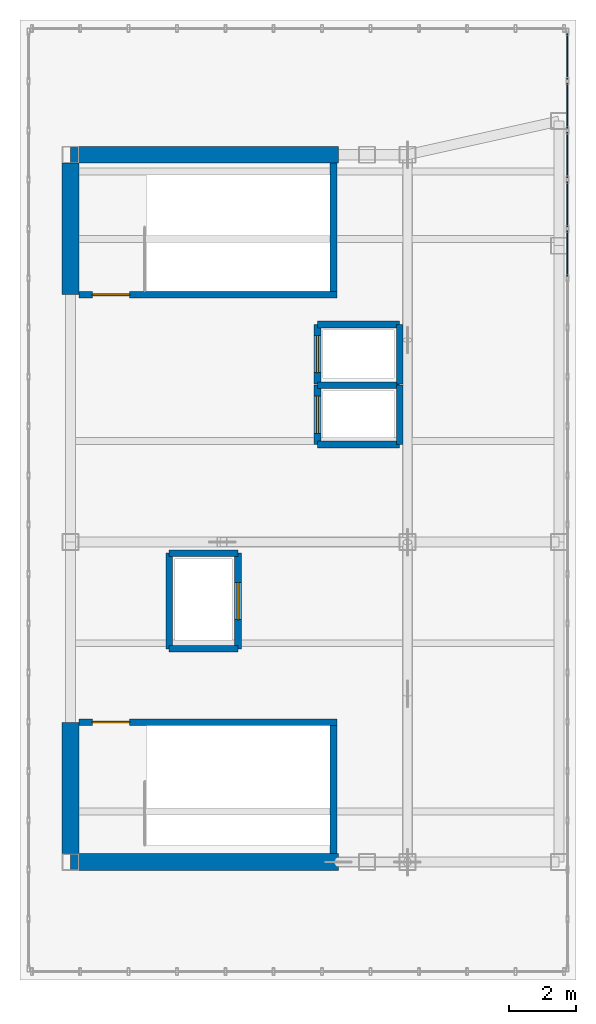
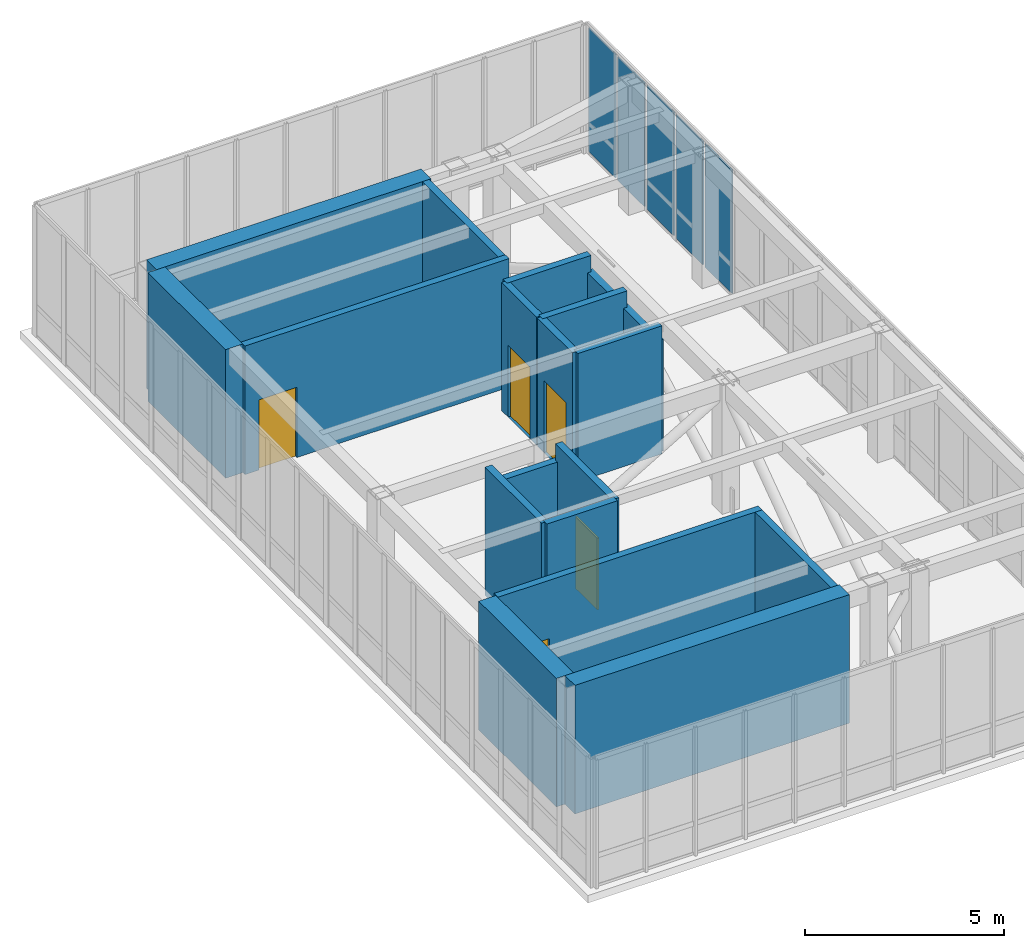
# One storey, part 12 of 13: 19 walls, 5 doors, 5 plates, 5 openings, 1 element without a shape of its own.
"""IFC4 building model written with IfcOpenShell, lengths in metres."""

from ifc_helpers import new_model, si_unit, direction, frame, frame_2d, origin, origin_2d, place, context, subcontext, project, spatial, rectangle, extrude, source, transform, mapped, material, layer, layer_set, type_object, element, fill, aggregate, save


model = new_model("IFC4")

# Units and contexts
model_context = context("Model", 3, precision=1e-05, world=origin(), true_north=direction((0.0, 1.0)))
body_context = subcontext(model_context, "Body", "Model", "MODEL_VIEW")
ifc_project = project(units=[si_unit("LENGTHUNIT", "METRE"), si_unit("AREAUNIT", "SQUARE_METRE"), si_unit("VOLUMEUNIT", "CUBIC_METRE"), si_unit("PLANEANGLEUNIT", "RADIAN"), si_unit("MASSUNIT", "GRAM", prefix="KILO")], contexts=[model_context])

# Site, building, storey
site_placement = place(None, origin())
site = spatial("IfcSite", under=ifc_project, at=site_placement, CompositionType="ELEMENT")
building_placement = place(site_placement, origin())
building = spatial("IfcBuilding", under=site, at=building_placement, Name="Kharzan Plaza Tower", CompositionType="ELEMENT")
storey_placement = place(building_placement, frame((0.0, 0.0, 298.199951171875)))
storey = spatial("IfcBuildingStorey", under=building, at=storey_placement, Name="L80-CROWN", CompositionType="ELEMENT", Elevation=298.199951171875)

# Curtain wall, plates
ifc_material_1 = material(Name="Unitised Bronze-Anodized Aluminium and Low-E Glass", Category="aluminium")
ifc_layer_1 = layer(ifc_material_1, 0.199951171875)
ifc_layer_set_1 = layer_set([ifc_layer_1], Name="Unitised Bronze-Anodized Aluminium and Low-E Glass")
curtain_wall_type = type_object("IfcCurtainWallType", Name="CW-LANTERN-6", PredefinedType="NOTDEFINED", material=ifc_layer_set_1)
curtain_wall_placement = place(storey_placement, origin())
curtain_wall = element("IfcCurtainWall", 1, at=curtain_wall_placement, inside=storey, type_object=curtain_wall_type, Name="L80-CROWN Lantern Crown Illuminated Curtain Wall 2", PredefinedType="NOTDEFINED")
ifc_material_2 = material(Name="Low-Iron Fritted Lantern Crown Glazing", Category="glass")
ifc_layer_2 = layer(ifc_material_2, 0.035888671875)
ifc_layer_set_2 = layer_set([ifc_layer_2], Name="Low-Iron Fritted Lantern Crown Glazing")
plate_type = type_object("IfcPlateType", Name="PLT-CW-LANTERN", PredefinedType="CURTAIN_PANEL", material=ifc_layer_set_2)
shared_shape_1 = source(origin(), body_context, "Body", "SweptSolid", [
    extrude(rectangle(XDim=1.34326171875, YDim=0.035888671875, at=origin_2d()), origin(), (0.0, 0.0, 1.0), 3.780029296875),
])
plate_1_placement = place(storey_placement, frame((19.25, 26.56591796875, 0.080078125), z_axis=(0.0, 0.0, 1.0), x_axis=(0.0, 1.0, 0.0)))
plate_1 = element("IfcPlate", 2, at=plate_1_placement, type_object=plate_type, Name="L80-CROWN Curtain-Wall Glazed Panel 14", PredefinedType="CURTAIN_PANEL", context=body_context, shape_type="MappedRepresentation", body=[
    mapped(shared_shape_1, transform((0.0, 0.0, 0.0), x_axis=(1.0, 0.0, 0.0), y_axis=(0.0, 1.0, 0.0), z_axis=(0.0, 0.0, 1.0))),
])
plate_2_placement = place(storey_placement, frame((19.25, 28.02880859375, 0.080078125), z_axis=(0.0, 0.0, 1.0), x_axis=(0.0, 1.0, 0.0)))
plate_2 = element("IfcPlate", 3, at=plate_2_placement, type_object=plate_type, Name="L80-CROWN Curtain-Wall Glazed Panel 15", PredefinedType="CURTAIN_PANEL", context=body_context, shape_type="MappedRepresentation", body=[
    mapped(shared_shape_1, transform((0.0, 0.0, 0.0), x_axis=(1.0, 0.0, 0.0), y_axis=(0.0, 1.0, 0.0), z_axis=(0.0, 0.0, 1.0))),
])
plate_3_placement = place(storey_placement, frame((19.25, 29.4921875, 0.080078125), z_axis=(0.0, 0.0, 1.0), x_axis=(0.0, 1.0, 0.0)))
plate_3 = element("IfcPlate", 4, at=plate_3_placement, type_object=plate_type, Name="L80-CROWN Curtain-Wall Glazed Panel 16", PredefinedType="CURTAIN_PANEL", context=body_context, shape_type="MappedRepresentation", body=[
    mapped(shared_shape_1, transform((0.0, 0.0, 0.0), x_axis=(1.0, 0.0, 0.0), y_axis=(0.0, 1.0, 0.0), z_axis=(0.0, 0.0, 1.0))),
])
plate_4_placement = place(storey_placement, frame((19.25, 30.955322265625, 0.080078125), z_axis=(0.0, 0.0, 1.0), x_axis=(0.0, 1.0, 0.0)))
plate_4 = element("IfcPlate", 5, at=plate_4_placement, type_object=plate_type, Name="L80-CROWN Curtain-Wall Glazed Panel 17", PredefinedType="CURTAIN_PANEL", context=body_context, shape_type="MappedRepresentation", body=[
    mapped(shared_shape_1, transform((0.0, 0.0, 0.0), x_axis=(1.0, 0.0, 0.0), y_axis=(0.0, 1.0, 0.0), z_axis=(0.0, 0.0, 1.0))),
])
plate_5_placement = place(storey_placement, frame((19.25, 32.41845703125, 0.080078125), z_axis=(0.0, 0.0, 1.0), x_axis=(0.0, 1.0, 0.0)))
plate_5 = element("IfcPlate", 6, at=plate_5_placement, type_object=plate_type, Name="L80-CROWN Curtain-Wall Glazed Panel 18", PredefinedType="CURTAIN_PANEL", context=body_context, shape_type="MappedRepresentation", body=[
    mapped(shared_shape_1, transform((0.0, 0.0, 0.0), x_axis=(1.0, 0.0, 0.0), y_axis=(0.0, 1.0, 0.0), z_axis=(0.0, 0.0, 1.0))),
])
aggregate(curtain_wall, [plate_1, plate_2, plate_3, plate_4, plate_5])

# Wall, opening, door
ifc_material_3 = material(Name="Concrete C40/50", Category="concrete")
ifc_layer_3 = layer(ifc_material_3, 0.199951171875)
ifc_layer_set_3 = layer_set([ifc_layer_3], Name="Concrete C40/50")
wall_type_1 = type_object("IfcWallType", Name="WL-INT-SHAFT-200", PredefinedType="PARTITIONING", material=ifc_layer_set_3)
wall_1_placement = place(storey_placement, frame((11.830078125, 20.89990234375, 0.0), z_axis=(0.0, 0.0, 1.0), x_axis=(0.0, 1.0, 0.0)))
wall_1 = element("IfcWall", 7, at=wall_1_placement, inside=storey, type_object=wall_type_1, Name="L80-CROWN Interior Partition SHF-FFL-1-W", PredefinedType="PARTITIONING", context=body_context, shape_type="SweptSolid", body=[
    extrude(rectangle(XDim=1.760009765625, YDim=0.199951171875, at=frame_2d((0.8798828125, 0.0))), origin(), (0.0, 0.0, 1.0), 3.925048828125),
])
opening_1_placement = place(wall_1_placement, frame((0.330078125, 0.0, 0.0)))
opening_1 = element("IfcOpeningElement", 8, at=opening_1_placement, cuts=wall_1, Name="Opening LD", PredefinedType="OPENING", context=body_context, shape_type="SweptSolid", body=[
    extrude(rectangle(XDim=1.10009765625, YDim=2.199951171875, at=frame_2d((0.550048828125, 1.10009765625))), frame((0.0, 0.10986328125, 0.0), z_axis=(0.0, -1.0, 0.0), x_axis=(1.0, 0.0, 0.0)), (0.0, 0.0, 1.0), 0.219970703125),
])
ifc_material_4 = material(Name="Brushed Stainless Steel", Category="steel")
door_type_1 = type_object("IfcDoorType", Name="DR-LIFT-SLIDE", OperationType="SLIDING_TO_LEFT", PredefinedType="DOOR", material=ifc_material_4)
shared_shape_2 = source(origin(), body_context, "Body", "SweptSolid", [
    extrude(rectangle(XDim=1.10009765625, YDim=2.199951171875, at=frame_2d((0.550048828125, 1.10009765625))), frame((0.0, 0.02490234375, 0.0), z_axis=(0.0, -1.0, 0.0), x_axis=(1.0, 0.0, 0.0)), (0.0, 0.0, 1.0), 0.050048828125),
])
door_1_placement = place(opening_1_placement, origin())
door_1 = element("IfcDoor", 9, at=door_1_placement, inside=storey, type_object=door_type_1, Name="L80-CROWN Firefighting Lift FFL-1 Sliding Landing Door", OperationType="SLIDING_TO_LEFT", OverallHeight=2.199951171875, OverallWidth=1.10009765625, PredefinedType="DOOR", context=body_context, shape_type="MappedRepresentation", body=[
    mapped(shared_shape_2, transform((0.0, 0.0, 0.0), x_axis=(1.0, 0.0, 0.0), y_axis=(0.0, 1.0, 0.0), z_axis=(0.0, 0.0, 1.0))),
])
fill(opening_1, door_1)

wall_2_placement = place(storey_placement, frame((11.830078125, 22.699951171875, 0.0), z_axis=(0.0, 0.0, 1.0), x_axis=(0.0, 1.0, 0.0)))
wall_2 = element("IfcWall", 10, at=wall_2_placement, inside=storey, type_object=wall_type_1, Name="L80-CROWN Interior Partition SHF-FFL-2-W", PredefinedType="PARTITIONING", context=body_context, shape_type="SweptSolid", body=[
    extrude(rectangle(XDim=1.760009765625, YDim=0.199951171875, at=frame_2d((0.8798828125, 0.0))), origin(), (0.0, 0.0, 1.0), 3.925048828125),
])
opening_2_placement = place(wall_2_placement, frame((0.330078125, 0.0, 0.0)))
opening_2 = element("IfcOpeningElement", 11, at=opening_2_placement, cuts=wall_2, Name="Opening LD", PredefinedType="OPENING", context=body_context, shape_type="SweptSolid", body=[
    extrude(rectangle(XDim=1.10009765625, YDim=2.199951171875, at=frame_2d((0.550048828125, 1.10009765625))), frame((0.0, 0.10986328125, 0.0), z_axis=(0.0, -1.0, 0.0), x_axis=(1.0, 0.0, 0.0)), (0.0, 0.0, 1.0), 0.219970703125),
])
door_2_placement = place(opening_2_placement, origin())
door_2 = element("IfcDoor", 12, at=door_2_placement, inside=storey, type_object=door_type_1, Name="L80-CROWN Firefighting Lift FFL-2 Sliding Landing Door", OperationType="SLIDING_TO_LEFT", OverallHeight=2.199951171875, OverallWidth=1.10009765625, PredefinedType="DOOR", context=body_context, shape_type="MappedRepresentation", body=[
    mapped(shared_shape_2, transform((0.0, 0.0, 0.0), x_axis=(1.0, 0.0, 0.0), y_axis=(0.0, 1.0, 0.0), z_axis=(0.0, 0.0, 1.0))),
])
fill(opening_2, door_2)

wall_3_placement = place(storey_placement, frame((9.469970703125, 14.830078125, 0.0), z_axis=(0.0, 0.0, 1.0), x_axis=(0.0, 1.0, 0.0)))
wall_3 = element("IfcWall", 13, at=wall_3_placement, inside=storey, type_object=wall_type_1, Name="L80-CROWN Interior Partition SHF-SVL-1-E", PredefinedType="PARTITIONING", context=body_context, shape_type="SweptSolid", body=[
    extrude(rectangle(XDim=2.83984375, YDim=0.199951171875, at=frame_2d((1.419921875, 0.0))), origin(), (0.0, 0.0, 1.0), 3.925048828125),
])
opening_3_placement = place(wall_3_placement, frame((0.8701171875, 0.0, 0.0)))
opening_3 = element("IfcOpeningElement", 14, at=opening_3_placement, cuts=wall_3, Name="Opening LD", PredefinedType="OPENING", context=body_context, shape_type="SweptSolid", body=[
    extrude(rectangle(XDim=1.10009765625, YDim=2.199951171875, at=frame_2d((0.550048828125, 1.10009765625))), frame((0.0, 0.10986328125, 0.0), z_axis=(0.0, -1.0, 0.0), x_axis=(1.0, 0.0, 0.0)), (0.0, 0.0, 1.0), 0.219970703125),
])
door_3_placement = place(opening_3_placement, origin())
door_3 = element("IfcDoor", 15, at=door_3_placement, inside=storey, type_object=door_type_1, Name="L80-CROWN Service Lift SVL-1 Sliding Landing Door", OperationType="SLIDING_TO_LEFT", OverallHeight=2.199951171875, OverallWidth=1.10009765625, PredefinedType="DOOR", context=body_context, shape_type="MappedRepresentation", body=[
    mapped(shared_shape_2, transform((0.0, 0.0, 0.0), x_axis=(1.0, 0.0, 0.0), y_axis=(0.0, 1.0, 0.0), z_axis=(0.0, 0.0, 1.0))),
])
fill(opening_3, door_3)

ifc_material_5 = material(Name="Concrete C50/60", Category="concrete")
ifc_layer_4 = layer(ifc_material_5, 0.199951171875)
ifc_layer_set_4 = layer_set([ifc_layer_4], Name="Concrete C50/60")
wall_type_2 = type_object("IfcWallType", Name="WL-SHAFT-RC200", PredefinedType="SHEAR", material=ifc_layer_set_4)
wall_4_placement = place(storey_placement, frame((4.751953125, 12.655029296875, 0.0), z_axis=(0.0, 0.0, 1.0), x_axis=(1.0, 0.0, 0.0)))
wall_4 = element("IfcWall", 16, at=wall_4_placement, inside=storey, type_object=wall_type_2, Name="L80-CROWN Stair ST-1 North RC Shaft Wall", PredefinedType="SHEAR", context=body_context, shape_type="SweptSolid", body=[
    extrude(rectangle(XDim=7.653076171875, YDim=0.199951171875, at=frame_2d((3.82666015625, 0.0))), origin(), (0.0, 0.0, 1.0), 3.93994140625),
])
opening_4_placement = place(wall_4_placement, frame((0.39990234375, 0.0, 0.0)))
opening_4 = element("IfcOpeningElement", 17, at=opening_4_placement, cuts=wall_4, Name="Opening SD1", PredefinedType="OPENING", context=body_context, shape_type="SweptSolid", body=[
    extrude(rectangle(XDim=1.10009765625, YDim=2.14990234375, at=frame_2d((0.550048828125, 1.074951171875))), frame((0.0, 0.10986328125, 0.0), z_axis=(0.0, -1.0, 0.0), x_axis=(1.0, 0.0, 0.0)), (0.0, 0.0, 1.0), 0.219970703125),
])
ifc_material_6 = material(Name="Fire-Rated Hollow Galvanized Steel", Category="steel")
door_type_2 = type_object("IfcDoorType", Name="DR-STAIR-FD120", OperationType="NOTDEFINED", PredefinedType="DOOR", material=ifc_material_6)
shared_shape_3 = source(origin(), body_context, "Body", "SweptSolid", [
    extrude(rectangle(XDim=1.10009765625, YDim=2.14990234375, at=frame_2d((0.550048828125, 1.074951171875))), frame((0.0, 0.02490234375, 0.0), z_axis=(0.0, -1.0, 0.0), x_axis=(1.0, 0.0, 0.0)), (0.0, 0.0, 1.0), 0.050048828125),
])
door_4_placement = place(opening_4_placement, origin())
door_4 = element("IfcDoor", 18, at=door_4_placement, inside=storey, type_object=door_type_2, Name="L80-CROWN Stair ST-1 Fire Exit Door", OperationType="SINGLE_SWING_RIGHT", OverallHeight=2.14990234375, OverallWidth=1.10009765625, PredefinedType="DOOR", context=body_context, shape_type="MappedRepresentation", body=[
    mapped(shared_shape_3, transform((0.0, 0.0, 0.0), x_axis=(1.0, 0.0, 0.0), y_axis=(0.0, 1.0, 0.0), z_axis=(0.0, 0.0, 1.0))),
])
fill(opening_4, door_4)

wall_5_placement = place(storey_placement, frame((4.751953125, 25.344970703125, 0.0), z_axis=(0.0, 0.0, 1.0), x_axis=(1.0, 0.0, 0.0)))
wall_5 = element("IfcWall", 19, at=wall_5_placement, inside=storey, type_object=wall_type_2, Name="L80-CROWN Stair ST-2 South RC Shaft Wall", PredefinedType="SHEAR", context=body_context, shape_type="SweptSolid", body=[
    extrude(rectangle(XDim=7.653076171875, YDim=0.199951171875, at=frame_2d((3.82666015625, 0.0))), origin(), (0.0, 0.0, 1.0), 3.93994140625),
])
opening_5_placement = place(wall_5_placement, frame((0.39990234375, 0.0, 0.0)))
opening_5 = element("IfcOpeningElement", 20, at=opening_5_placement, cuts=wall_5, Name="Opening SD1", PredefinedType="OPENING", context=body_context, shape_type="SweptSolid", body=[
    extrude(rectangle(XDim=1.10009765625, YDim=2.14990234375, at=frame_2d((0.550048828125, 1.074951171875))), frame((0.0, 0.10986328125, 0.0), z_axis=(0.0, -1.0, 0.0), x_axis=(1.0, 0.0, 0.0)), (0.0, 0.0, 1.0), 0.219970703125),
])
door_5_placement = place(opening_5_placement, origin())
door_5 = element("IfcDoor", 21, at=door_5_placement, inside=storey, type_object=door_type_2, Name="L80-CROWN Stair ST-2 Fire Exit Door", OperationType="SINGLE_SWING_LEFT", OverallHeight=2.14990234375, OverallWidth=1.10009765625, PredefinedType="DOOR", context=body_context, shape_type="MappedRepresentation", body=[
    mapped(shared_shape_3, transform((0.0, 0.0, 0.0), x_axis=(1.0, 0.0, 0.0), y_axis=(0.0, 1.0, 0.0), z_axis=(0.0, 0.0, 1.0))),
])
fill(opening_5, door_5)

# Walls
ifc_layer_5 = layer(ifc_material_5, 0.5)
ifc_layer_set_5 = layer_set([ifc_layer_5], Name="Concrete C50/60")
wall_type_3 = type_object("IfcWallType", Name="WL-CORE-500", PredefinedType="SHEAR", material=ifc_layer_set_5)
shared_shape_4 = source(origin(), body_context, "Body", "SweptSolid", [
    extrude(rectangle(XDim=7.949951171875, YDim=0.5, at=frame_2d((3.97509765625, 0.0))), origin(), (0.0, 0.0, 1.0), 3.93994140625),
])
for number, where, z_axis, x_axis, name in (
    (22, (4.5, 8.5, 0.0), (0.0, 0.0, 1.0), (1.0, 0.0, 0.0), "L80-CROWN Stair ST-1 South RC Shear Wall"),
    (23, (4.5, 29.5, 0.0), (0.0, 0.0, 1.0), (1.0, 0.0, 0.0), "L80-CROWN Stair ST-2 North RC Shear Wall"),
):
    element("IfcWall", number, at=place(storey_placement, frame(where, z_axis=z_axis, x_axis=x_axis)), inside=storey, type_object=wall_type_3, Name=name, PredefinedType="SHEAR", context=body_context, shape_type="MappedRepresentation", body=[
        mapped(shared_shape_4, transform((0.0, 0.0, 0.0), x_axis=(1.0, 0.0, 0.0), y_axis=(0.0, 1.0, 0.0), z_axis=(0.0, 0.0, 1.0))),
    ])
shared_shape_5 = source(origin(), body_context, "Body", "SweptSolid", [
    extrude(rectangle(XDim=3.89990234375, YDim=0.5, at=frame_2d((1.949951171875, 0.0))), origin(), (0.0, 0.0, 1.0), 3.93994140625),
])
for number, where, z_axis, x_axis, name in (
    (24, (4.5, 8.75, 0.0), (0.0, 0.0, 1.0), (0.0, 1.0, 0.0), "L80-CROWN Stair ST-1 West RC Shear Wall"),
    (25, (4.5, 25.35009765625, 0.0), (0.0, 0.0, 1.0), (0.0, 1.0, 0.0), "L80-CROWN Stair ST-2 West RC Shear Wall"),
):
    element("IfcWall", number, at=place(storey_placement, frame(where, z_axis=z_axis, x_axis=x_axis)), inside=storey, type_object=wall_type_3, Name=name, PredefinedType="SHEAR", context=body_context, shape_type="MappedRepresentation", body=[
        mapped(shared_shape_5, transform((0.0, 0.0, 0.0), x_axis=(1.0, 0.0, 0.0), y_axis=(0.0, 1.0, 0.0), z_axis=(0.0, 0.0, 1.0))),
    ])
shared_shape_6 = source(origin(), body_context, "Body", "SweptSolid", [
    extrude(rectangle(XDim=1.760009765625, YDim=0.199951171875, at=frame_2d((0.8798828125, 0.0))), origin(), (0.0, 0.0, 1.0), 3.425048828125),
])
for number, where, z_axis, x_axis, name in (
    (26, (14.27001953125, 20.89990234375, 0.0), (0.0, 0.0, 1.0), (0.0, 1.0, 0.0), "L80-CROWN Interior Partition SHF-FFL-1-E"),
    (27, (14.27001953125, 22.699951171875, 0.0), (0.0, 0.0, 1.0), (0.0, 1.0, 0.0), "L80-CROWN Interior Partition SHF-FFL-2-E"),
):
    element("IfcWall", number, at=place(storey_placement, frame(where, z_axis=z_axis, x_axis=x_axis)), inside=storey, type_object=wall_type_1, Name=name, PredefinedType="PARTITIONING", context=body_context, shape_type="MappedRepresentation", body=[
        mapped(shared_shape_6, transform((0.0, 0.0, 0.0), x_axis=(1.0, 0.0, 0.0), y_axis=(0.0, 1.0, 0.0), z_axis=(0.0, 0.0, 1.0))),
    ])
shared_shape_7 = source(origin(), body_context, "Body", "SweptSolid", [
    extrude(rectangle(XDim=2.43994140625, YDim=0.199951171875, at=frame_2d((1.219970703125, 0.0))), origin(), (0.0, 0.0, 1.0), 3.925048828125),
])
for number, where, z_axis, x_axis, name in (
    (28, (11.830078125, 22.659912109375, 0.0), (0.0, 0.0, 1.0), (1.0, 0.0, 0.0), "L80-CROWN Interior Partition SHF-FFL-1-N"),
    (29, (11.830078125, 20.89990234375, 0.0), (0.0, 0.0, 1.0), (1.0, 0.0, 0.0), "L80-CROWN Interior Partition SHF-FFL-1-S"),
    (30, (11.830078125, 24.4599609375, 0.0), (0.0, 0.0, 1.0), (1.0, 0.0, 0.0), "L80-CROWN Interior Partition SHF-FFL-2-N"),
):
    element("IfcWall", number, at=place(storey_placement, frame(where, z_axis=z_axis, x_axis=x_axis)), inside=storey, type_object=wall_type_1, Name=name, PredefinedType="PARTITIONING", context=body_context, shape_type="MappedRepresentation", body=[
        mapped(shared_shape_7, transform((0.0, 0.0, 0.0), x_axis=(1.0, 0.0, 0.0), y_axis=(0.0, 1.0, 0.0), z_axis=(0.0, 0.0, 1.0))),
    ])
shared_shape_8 = source(origin(), body_context, "Body", "SweptSolid", [
    extrude(rectangle(XDim=2.0400390625, YDim=0.199951171875, at=frame_2d((1.02001953125, 0.0))), origin(), (0.0, 0.0, 1.0), 3.425048828125),
])
wall_6_placement = place(storey_placement, frame((7.429931640625, 17.669921875, 0.0), z_axis=(0.0, 0.0, 1.0), x_axis=(1.0, 0.0, 0.0)))
element("IfcWall", 31, at=wall_6_placement, inside=storey, type_object=wall_type_1, Name="L80-CROWN Interior Partition SHF-SVL-1-N", PredefinedType="PARTITIONING", context=body_context, shape_type="MappedRepresentation", body=[
    mapped(shared_shape_8, transform((0.0, 0.0, 0.0), x_axis=(1.0, 0.0, 0.0), y_axis=(0.0, 1.0, 0.0), z_axis=(0.0, 0.0, 1.0))),
])
shared_shape_9 = source(origin(), body_context, "Body", "SweptSolid", [
    extrude(rectangle(XDim=2.0400390625, YDim=0.199951171875, at=frame_2d((1.02001953125, 0.0))), origin(), (0.0, 0.0, 1.0), 3.925048828125),
])
wall_7_placement = place(storey_placement, frame((7.429931640625, 14.830078125, 0.0), z_axis=(0.0, 0.0, 1.0), x_axis=(1.0, 0.0, 0.0)))
element("IfcWall", 32, at=wall_7_placement, inside=storey, type_object=wall_type_1, Name="L80-CROWN Interior Partition SHF-SVL-1-S", PredefinedType="PARTITIONING", context=body_context, shape_type="MappedRepresentation", body=[
    mapped(shared_shape_9, transform((0.0, 0.0, 0.0), x_axis=(1.0, 0.0, 0.0), y_axis=(0.0, 1.0, 0.0), z_axis=(0.0, 0.0, 1.0))),
])
shared_shape_10 = source(origin(), body_context, "Body", "SweptSolid", [
    extrude(rectangle(XDim=2.83984375, YDim=0.199951171875, at=frame_2d((1.419921875, 0.0))), origin(), (0.0, 0.0, 1.0), 3.925048828125),
])
wall_8_placement = place(storey_placement, frame((7.429931640625, 14.830078125, 0.0), z_axis=(0.0, 0.0, 1.0), x_axis=(0.0, 1.0, 0.0)))
element("IfcWall", 33, at=wall_8_placement, inside=storey, type_object=wall_type_1, Name="L80-CROWN Interior Partition SHF-SVL-1-W", PredefinedType="PARTITIONING", context=body_context, shape_type="MappedRepresentation", body=[
    mapped(shared_shape_10, transform((0.0, 0.0, 0.0), x_axis=(1.0, 0.0, 0.0), y_axis=(0.0, 1.0, 0.0), z_axis=(0.0, 0.0, 1.0))),
])
shared_shape_11 = source(origin(), body_context, "Body", "SweptSolid", [
    extrude(rectangle(XDim=3.802978515625, YDim=0.199951171875, at=frame_2d((1.9013671875, 0.0))), origin(), (0.0, 0.0, 1.0), 3.93994140625),
])
for number, where, z_axis, x_axis, name in (
    (34, (12.304931640625, 8.751953125, 0.0), (0.0, 0.0, 1.0), (0.0, 1.0, 0.0), "L80-CROWN Stair ST-1 East RC Shaft Wall"),
    (35, (12.304931640625, 25.445068359375, 0.0), (0.0, 0.0, 1.0), (0.0, 1.0, 0.0), "L80-CROWN Stair ST-2 East RC Shaft Wall"),
):
    element("IfcWall", number, at=place(storey_placement, frame(where, z_axis=z_axis, x_axis=x_axis)), inside=storey, type_object=wall_type_2, Name=name, PredefinedType="SHEAR", context=body_context, shape_type="MappedRepresentation", body=[
        mapped(shared_shape_11, transform((0.0, 0.0, 0.0), x_axis=(1.0, 0.0, 0.0), y_axis=(0.0, 1.0, 0.0), z_axis=(0.0, 0.0, 1.0))),
    ])

save(model, "model.ifc")
